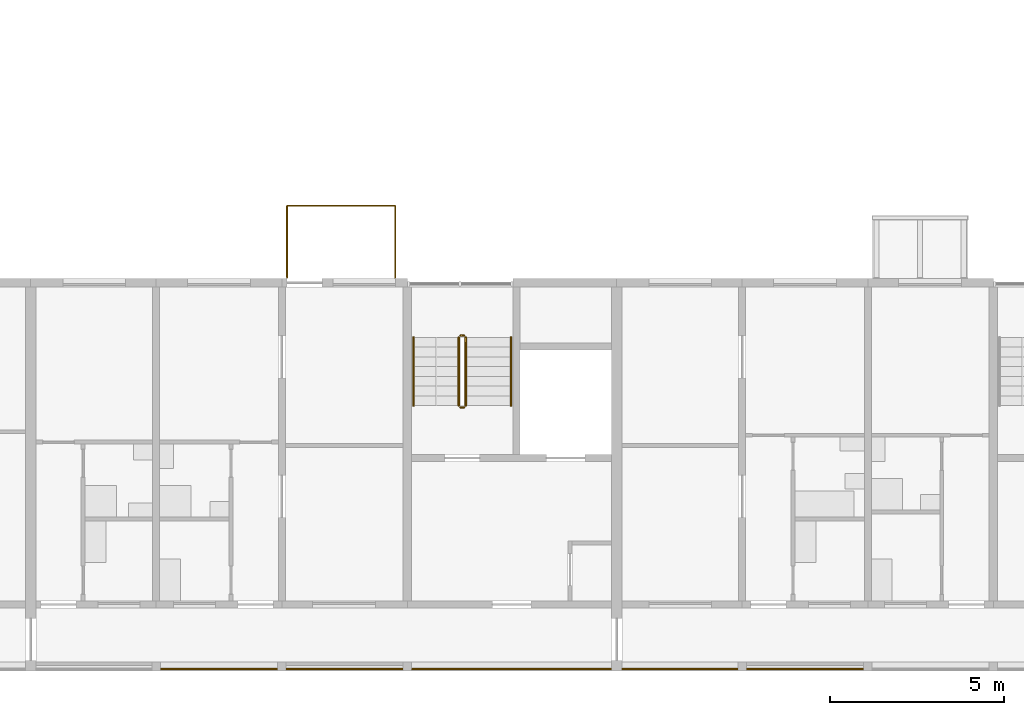
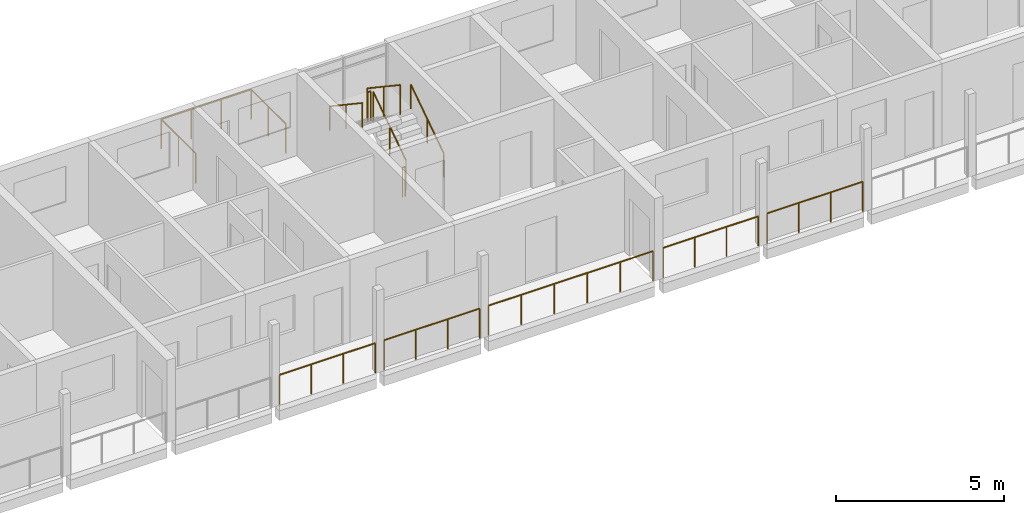
# One storey, part 70 of 78: 12 railings.
"""IFC4 building model written with IfcOpenShell, lengths in metres."""

from ifc_helpers import new_model, si_unit, direction, frame, origin, origin_2d, place, context, subcontext, project, spatial, circle, extrude, material, type_object, element, save


model = new_model("IFC4")

# Units and contexts
model_context = context("Model", 3, precision=1e-05, world=origin(), true_north=direction((0.0, 1.0)))
body_context = subcontext(model_context, "Body", "Model", "MODEL_VIEW")
ifc_project = project(units=[si_unit("LENGTHUNIT", "METRE"), si_unit("AREAUNIT", "SQUARE_METRE"), si_unit("VOLUMEUNIT", "CUBIC_METRE"), si_unit("PLANEANGLEUNIT", "RADIAN"), si_unit("MASSUNIT", "GRAM", prefix="KILO")], contexts=[model_context])

# Site, building, storey
site_placement = place(None, origin())
site = spatial("IfcSite", under=ifc_project, at=site_placement, CompositionType="ELEMENT")
building_placement = place(site_placement, origin())
building = spatial("IfcBuilding", under=site, at=building_placement, Name="Ridgestep Commons", CompositionType="ELEMENT")
storey_placement = place(building_placement, frame((0.0, 0.0, 30.0)))
storey = spatial("IfcBuildingStorey", under=building, at=storey_placement, Name="L10", CompositionType="ELEMENT", Elevation=30.0)

# Railings
ifc_material_1 = material(Name="Structural steel S355JR", Category="steel")
railing_type_1 = type_object("IfcRailingType", Name="Guard 1100", PredefinedType="GUARDRAIL", material=ifc_material_1)
railing_1_placement = place(storey_placement, frame((184.14599609375, 11.800048828125, 0.0)))
element("IfcRailing", 1, at=railing_1_placement, inside=storey, type_object=railing_type_1, Name="Gallery guard D 10.9", PredefinedType="GUARDRAIL", context=body_context, shape_type="SweptSolid", body=[
    extrude(circle(Radius=0.02392578125, at=origin_2d()), frame((0.0, 0.0, 1.076171875), z_axis=(1.0, 0.0, 0.0), x_axis=(0.0, 1.0, 0.0)), (0.0, 0.0, 1.0), 3.30810546875),
    extrude(circle(Radius=0.02099609375, at=origin_2d()), origin(), (0.0, 0.0, 1.0), 1.052001953125),
    extrude(circle(Radius=0.02099609375, at=origin_2d()), frame((1.102783203125, 0.0, 0.0)), (0.0, 0.0, 1.0), 1.052001953125),
    extrude(circle(Radius=0.02099609375, at=origin_2d()), frame((2.205322265625, 0.0, 0.0)), (0.0, 0.0, 1.0), 1.052001953125),
    extrude(circle(Radius=0.02099609375, at=origin_2d()), frame((3.30810546875, 0.0, 0.0)), (0.0, 0.0, 1.0), 1.052001953125),
])
railing_2_placement = place(storey_placement, frame((187.74609375, 11.800048828125, 0.0)))
element("IfcRailing", 2, at=railing_2_placement, inside=storey, type_object=railing_type_1, Name="Gallery guard D 10.10", PredefinedType="GUARDRAIL", context=body_context, shape_type="SweptSolid", body=[
    extrude(circle(Radius=0.02392578125, at=origin_2d()), frame((0.0, 0.0, 1.076171875), z_axis=(1.0, 0.0, 0.0), x_axis=(0.0, 1.0, 0.0)), (0.0, 0.0, 1.0), 3.307861328125),
    extrude(circle(Radius=0.02099609375, at=origin_2d()), origin(), (0.0, 0.0, 1.0), 1.052001953125),
    extrude(circle(Radius=0.02099609375, at=origin_2d()), frame((1.1025390625, 0.0, 0.0)), (0.0, 0.0, 1.0), 1.052001953125),
    extrude(circle(Radius=0.02099609375, at=origin_2d()), frame((2.205322265625, 0.0, 0.0)), (0.0, 0.0, 1.0), 1.052001953125),
    extrude(circle(Radius=0.02099609375, at=origin_2d()), frame((3.307861328125, 0.0, 0.0)), (0.0, 0.0, 1.0), 1.052001953125),
])
railing_3_placement = place(storey_placement, frame((191.345947265625, 11.800048828125, 0.0)))
element("IfcRailing", 3, at=railing_3_placement, inside=storey, type_object=railing_type_1, Name="Gallery guard D 10.11", PredefinedType="GUARDRAIL", context=body_context, shape_type="SweptSolid", body=[
    extrude(circle(Radius=0.02392578125, at=origin_2d()), frame((0.0, 0.0, 1.076171875), z_axis=(1.0, 0.0, 0.0), x_axis=(0.0, 1.0, 0.0)), (0.0, 0.0, 1.0), 5.68310546875),
    extrude(circle(Radius=0.02099609375, at=origin_2d()), origin(), (0.0, 0.0, 1.0), 1.052001953125),
    extrude(circle(Radius=0.02099609375, at=origin_2d()), frame((1.13671875, 0.0, 0.0)), (0.0, 0.0, 1.0), 1.052001953125),
    extrude(circle(Radius=0.02099609375, at=origin_2d()), frame((2.273193359375, 0.0, 0.0)), (0.0, 0.0, 1.0), 1.052001953125),
    extrude(circle(Radius=0.02099609375, at=origin_2d()), frame((3.409912109375, 0.0, 0.0)), (0.0, 0.0, 1.0), 1.052001953125),
    extrude(circle(Radius=0.02099609375, at=origin_2d()), frame((4.54638671875, 0.0, 0.0)), (0.0, 0.0, 1.0), 1.052001953125),
    extrude(circle(Radius=0.02099609375, at=origin_2d()), frame((5.68310546875, 0.0, 0.0)), (0.0, 0.0, 1.0), 1.052001953125),
])
railing_4_placement = place(storey_placement, frame((197.37109375, 11.800048828125, 0.0)))
element("IfcRailing", 4, at=railing_4_placement, inside=storey, type_object=railing_type_1, Name="Gallery guard D 10.12", PredefinedType="GUARDRAIL", context=body_context, shape_type="SweptSolid", body=[
    extrude(circle(Radius=0.02392578125, at=origin_2d()), frame((0.0, 0.0, 1.076171875), z_axis=(1.0, 0.0, 0.0), x_axis=(0.0, 1.0, 0.0)), (0.0, 0.0, 1.0), 3.282958984375),
    extrude(circle(Radius=0.02099609375, at=origin_2d()), origin(), (0.0, 0.0, 1.0), 1.052001953125),
    extrude(circle(Radius=0.02099609375, at=origin_2d()), frame((1.09423828125, 0.0, 0.0)), (0.0, 0.0, 1.0), 1.052001953125),
    extrude(circle(Radius=0.02099609375, at=origin_2d()), frame((2.188720703125, 0.0, 0.0)), (0.0, 0.0, 1.0), 1.052001953125),
    extrude(circle(Radius=0.02099609375, at=origin_2d()), frame((3.282958984375, 0.0, 0.0)), (0.0, 0.0, 1.0), 1.052001953125),
])
railing_5_placement = place(storey_placement, frame((200.946044921875, 11.800048828125, 0.0)))
element("IfcRailing", 5, at=railing_5_placement, inside=storey, type_object=railing_type_1, Name="Gallery guard D 10.13", PredefinedType="GUARDRAIL", context=body_context, shape_type="SweptSolid", body=[
    extrude(circle(Radius=0.02392578125, at=origin_2d()), frame((0.0, 0.0, 1.076171875), z_axis=(1.0, 0.0, 0.0), x_axis=(0.0, 1.0, 0.0)), (0.0, 0.0, 1.0), 3.307861328125),
    extrude(circle(Radius=0.02099609375, at=origin_2d()), origin(), (0.0, 0.0, 1.0), 1.052001953125),
    extrude(circle(Radius=0.02099609375, at=origin_2d()), frame((1.1025390625, 0.0, 0.0)), (0.0, 0.0, 1.0), 1.052001953125),
    extrude(circle(Radius=0.02099609375, at=origin_2d()), frame((2.205322265625, 0.0, 0.0)), (0.0, 0.0, 1.0), 1.052001953125),
    extrude(circle(Radius=0.02099609375, at=origin_2d()), frame((3.307861328125, 0.0, 0.0)), (0.0, 0.0, 1.0), 1.052001953125),
])
ifc_material_2 = material(Name="Structural steel S355JR", Category="steel")
railing_type_2 = type_object("IfcRailingType", Name="Stair guard 1100", PredefinedType="GUARDRAIL", material=ifc_material_2)
railing_6_placement = place(storey_placement, frame((192.875, 19.35009765625, 0.1875)))
element("IfcRailing", 6, at=railing_6_placement, inside=storey, type_object=railing_type_2, Name="L10 D3C stair guard 1", PredefinedType="GUARDRAIL", context=body_context, shape_type="SweptSolid", body=[
    extrude(circle(Radius=0.02392578125, at=origin_2d()), frame((0.0, 0.0, 1.076171875), z_axis=(0.0, 0.830902050051, 0.556418712142), x_axis=(-1.0, 0.0, 0.0)), (0.0, 0.0, 1.0), 2.35888671875),
    extrude(circle(Radius=0.02099609375, at=origin_2d()), origin(), (0.0, 0.0, 1.0), 1.052001953125),
    extrude(circle(Radius=0.02099609375, at=origin_2d()), frame((0.0, 0.97998046875, 0.65625)), (0.0, 0.0, 1.0), 1.052001953125),
    extrude(circle(Radius=0.02099609375, at=origin_2d()), frame((0.0, 1.9599609375, 1.3125)), (0.0, 0.0, 1.0), 1.052001953125),
])
railing_7_placement = place(storey_placement, frame((192.824951171875, 21.360107421875, 1.5)))
element("IfcRailing", 7, at=railing_7_placement, inside=storey, type_object=railing_type_2, Name="L10 D3C stair guard 2", PredefinedType="GUARDRAIL", context=body_context, shape_type="SweptSolid", body=[
    extrude(circle(Radius=0.02392578125, at=origin_2d()), frame((0.0, 0.0, 1.076171875), z_axis=(-1.0, 0.0, 0.0), x_axis=(0.0, -1.0, 0.0)), (0.0, 0.0, 1.0), 0.099853515625),
    extrude(circle(Radius=0.02099609375, at=origin_2d()), origin(), (0.0, 0.0, 1.0), 1.052001953125),
    extrude(circle(Radius=0.02099609375, at=origin_2d()), frame((-0.099853515625, 0.0, 0.0)), (0.0, 0.0, 1.0), 1.052001953125),
])
railing_8_placement = place(storey_placement, frame((192.675048828125, 21.31005859375, 1.6875)))
element("IfcRailing", 8, at=railing_8_placement, inside=storey, type_object=railing_type_2, Name="L10 D3C stair guard 3", PredefinedType="GUARDRAIL", context=body_context, shape_type="SweptSolid", body=[
    extrude(circle(Radius=0.02392578125, at=origin_2d()), frame((0.0, 0.0, 1.076171875), z_axis=(0.0, -0.830902050051, 0.556418712142), x_axis=(1.0, 0.0, 0.0)), (0.0, 0.0, 1.0), 2.35888671875),
    extrude(circle(Radius=0.02099609375, at=origin_2d()), origin(), (0.0, 0.0, 1.0), 1.052001953125),
    extrude(circle(Radius=0.02099609375, at=origin_2d()), frame((0.0, -0.97998046875, 0.65625)), (0.0, 0.0, 1.0), 1.052001953125),
    extrude(circle(Radius=0.02099609375, at=origin_2d()), frame((0.0, -1.9599609375, 1.3125)), (0.0, 0.0, 1.0), 1.052001953125),
])
railing_9_placement = place(storey_placement, frame((192.824951171875, 19.300048828125, 0.0)))
element("IfcRailing", 9, at=railing_9_placement, inside=storey, type_object=railing_type_2, Name="L10 D3C stair guard 4", PredefinedType="GUARDRAIL", context=body_context, shape_type="SweptSolid", body=[
    extrude(circle(Radius=0.02392578125, at=origin_2d()), frame((0.0, 0.0, 1.076171875), z_axis=(-1.0, 0.0, 0.0), x_axis=(0.0, -1.0, 0.0)), (0.0, 0.0, 1.0), 0.099853515625),
    extrude(circle(Radius=0.02099609375, at=origin_2d()), origin(), (0.0, 0.0, 1.0), 1.052001953125),
    extrude(circle(Radius=0.02099609375, at=origin_2d()), frame((-0.099853515625, 0.0, 0.0)), (0.0, 0.0, 1.0), 1.052001953125),
])
ifc_material_3 = material(Name="Structural steel S355JR", Category="steel")
railing_type_3 = type_object("IfcRailingType", Name="Stair handrail 900", PredefinedType="HANDRAIL", material=ifc_material_3)
railing_10_placement = place(storey_placement, frame((194.175048828125, 19.35009765625, 0.1875)))
element("IfcRailing", 10, at=railing_10_placement, inside=storey, type_object=railing_type_3, Name="L10 D3C stair handrail 1", PredefinedType="HANDRAIL", context=body_context, shape_type="SweptSolid", body=[
    extrude(circle(Radius=0.02392578125, at=origin_2d()), frame((0.0, 0.0, 0.8759765625), z_axis=(0.0, 0.830902050051, 0.556418712142), x_axis=(-1.0, 0.0, 0.0)), (0.0, 0.0, 1.0), 2.35888671875),
    extrude(circle(Radius=0.02099609375, at=origin_2d()), origin(), (0.0, 0.0, 1.0), 0.851806640625),
    extrude(circle(Radius=0.02099609375, at=origin_2d()), frame((0.0, 0.97998046875, 0.65625)), (0.0, 0.0, 1.0), 0.851806640625),
    extrude(circle(Radius=0.02099609375, at=origin_2d()), frame((0.0, 1.9599609375, 1.3125)), (0.0, 0.0, 1.0), 0.851806640625),
])
railing_11_placement = place(storey_placement, frame((191.375, 21.31005859375, 1.6875)))
element("IfcRailing", 11, at=railing_11_placement, inside=storey, type_object=railing_type_3, Name="L10 D3C stair handrail 2", PredefinedType="HANDRAIL", context=body_context, shape_type="SweptSolid", body=[
    extrude(circle(Radius=0.02392578125, at=origin_2d()), frame((0.0, 0.0, 0.8759765625), z_axis=(0.0, -0.830902050051, 0.556418712142), x_axis=(1.0, 0.0, 0.0)), (0.0, 0.0, 1.0), 2.35888671875),
    extrude(circle(Radius=0.02099609375, at=origin_2d()), origin(), (0.0, 0.0, 1.0), 0.851806640625),
    extrude(circle(Radius=0.02099609375, at=origin_2d()), frame((0.0, -0.97998046875, 0.65625)), (0.0, 0.0, 1.0), 0.851806640625),
    extrude(circle(Radius=0.02099609375, at=origin_2d()), frame((0.0, -1.9599609375, 1.3125)), (0.0, 0.0, 1.0), 0.851806640625),
])
ifc_material_4 = material(Name="Weathering steel S355J2W", Category="steel")
railing_type_4 = type_object("IfcRailingType", Name="Tray guard 1100", PredefinedType="GUARDRAIL", material=ifc_material_4)
railing_12_placement = place(storey_placement, frame((187.7509765625, 23.02099609375, 0.0)))
element("IfcRailing", 12, at=railing_12_placement, inside=storey, type_object=railing_type_4, Name="Tray guard D3T3-10", PredefinedType="GUARDRAIL", context=body_context, shape_type="SweptSolid", body=[
    extrude(circle(Radius=0.02392578125, at=origin_2d()), frame((0.0, 0.0, 1.076171875), z_axis=(0.0, 1.0, 0.0), x_axis=(-1.0, 0.0, 0.0)), (0.0, 0.0, 1.0), 2.05810546875),
    extrude(circle(Radius=0.02392578125, at=origin_2d()), frame((0.0, 2.05810546875, 1.076171875), z_axis=(1.0, 0.0, 0.0), x_axis=(0.0, 1.0, 0.0)), (0.0, 0.0, 1.0), 3.09814453125),
    extrude(circle(Radius=0.02392578125, at=origin_2d()), frame((3.09814453125, 2.05810546875, 1.076171875), z_axis=(0.0, -1.0, 0.0), x_axis=(1.0, 0.0, 0.0)), (0.0, 0.0, 1.0), 2.05810546875),
    extrude(circle(Radius=0.02099609375, at=origin_2d()), origin(), (0.0, 0.0, 1.0), 1.052001953125),
    extrude(circle(Radius=0.02099609375, at=origin_2d()), frame((0.0, 1.029052734375, 0.0)), (0.0, 0.0, 1.0), 1.052001953125),
    extrude(circle(Radius=0.02099609375, at=origin_2d()), frame((0.0, 2.05810546875, 0.0)), (0.0, 0.0, 1.0), 1.052001953125),
    extrude(circle(Radius=0.02099609375, at=origin_2d()), frame((1.03271484375, 2.05810546875, 0.0)), (0.0, 0.0, 1.0), 1.052001953125),
    extrude(circle(Radius=0.02099609375, at=origin_2d()), frame((2.0654296875, 2.05810546875, 0.0)), (0.0, 0.0, 1.0), 1.052001953125),
    extrude(circle(Radius=0.02099609375, at=origin_2d()), frame((3.09814453125, 2.05810546875, 0.0)), (0.0, 0.0, 1.0), 1.052001953125),
    extrude(circle(Radius=0.02099609375, at=origin_2d()), frame((3.09814453125, 1.029052734375, 0.0)), (0.0, 0.0, 1.0), 1.052001953125),
    extrude(circle(Radius=0.02099609375, at=origin_2d()), frame((3.09814453125, 0.0, 0.0)), (0.0, 0.0, 1.0), 1.052001953125),
])

save(model, "model.ifc")
